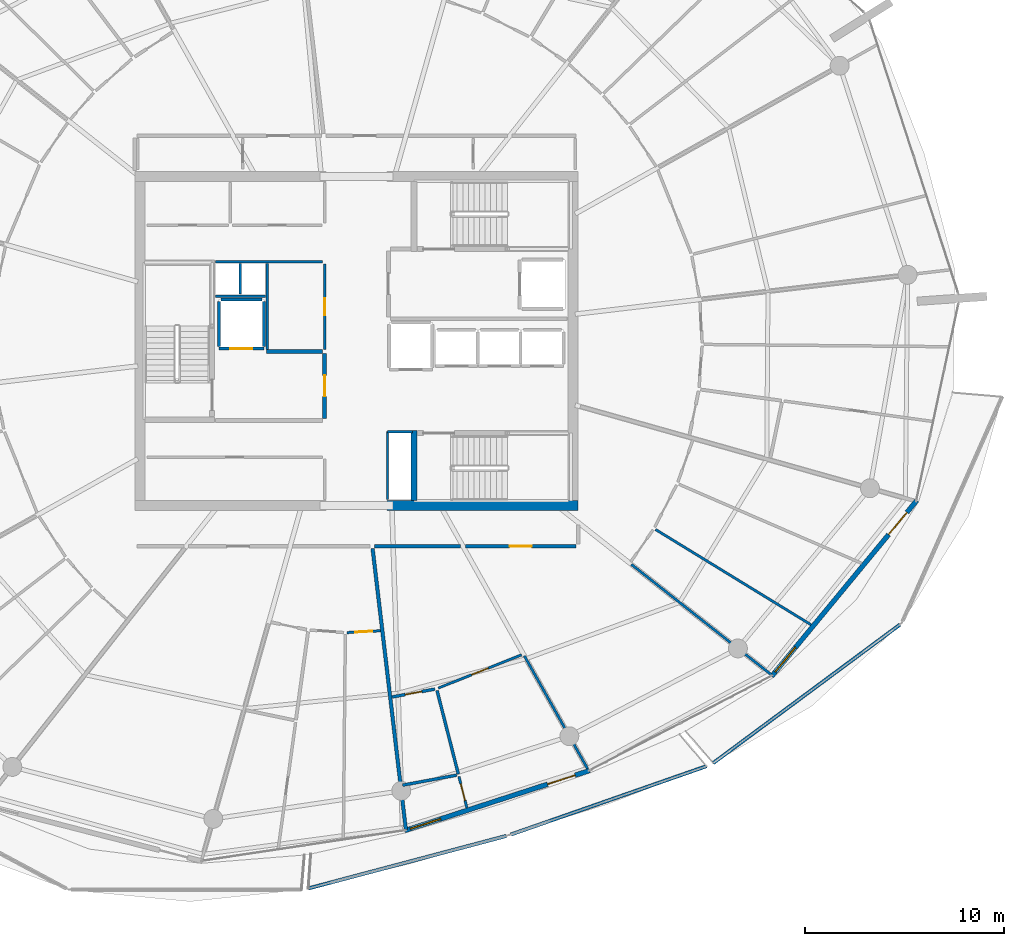
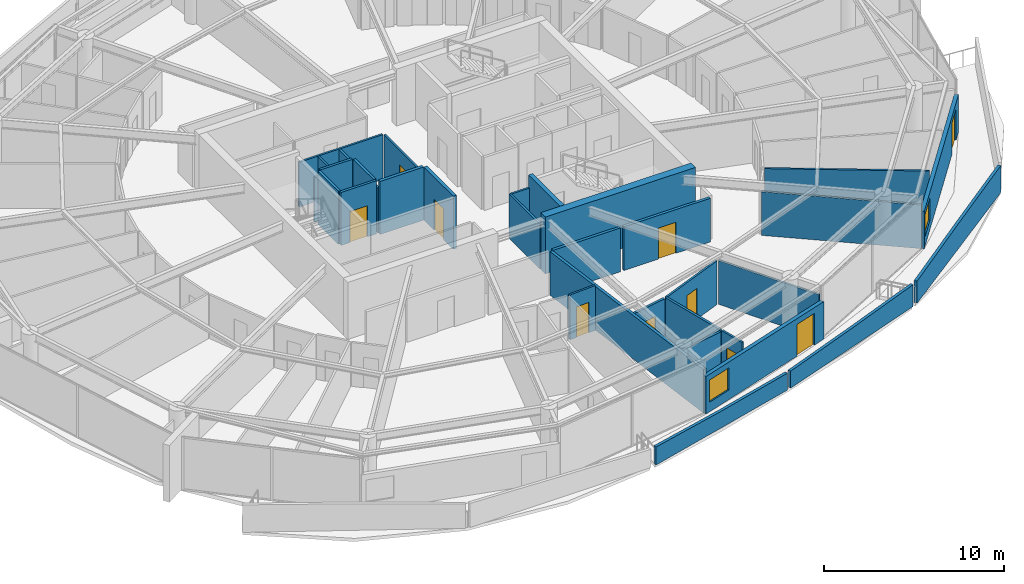
# One storey, part 19 of 30: 32 walls, 10 doors, 2 windows, 12 openings.
"""IFC4 building model written with IfcOpenShell, lengths in metres."""

import ifcopenshell
import ifcopenshell.guid

model = None  # the IFC model being written
_history = None  # IfcOwnerHistory: only IFC2X3 demands one
_inside = {}  # id of a spatial element -> (the spatial element, [elements in it])
_under = {}  # id of a project, library or spatial element -> (it, [spatial elements below it])
_declared = {}  # id of a project -> (the project, [libraries it declares])
_typed = {}  # id of a type object -> (the type object, [elements of that type])
_made_of = {}  # id of a material, layer set ... -> (it, [elements and type objects made of it])


def new_model(schema):
    """Start an empty IFC model of exactly this schema.

    Asked for "IFC4X3", IfcOpenShell would pick the latest addendum, in which some entities
    have other attributes; the version numbers below select the first issue.
    IFC2X3 requires an IfcOwnerHistory on every rooted entity: one is made here for all.
    """
    global model, _history
    if schema == "IFC4X3":
        model = ifcopenshell.file(schema_version=(4, 3, 0, 0))
    else:
        model = ifcopenshell.file(schema=schema)
    _inside.clear()
    _under.clear()
    _declared.clear()
    _typed.clear()
    _made_of.clear()
    _history = None
    if model.schema == "IFC2X3":
        org = make("IfcOrganization", Name="unknown")
        user = make(
            "IfcPersonAndOrganization",
            ThePerson=make("IfcPerson", FamilyName="unknown"),
            TheOrganization=org,
        )
        app = make(
            "IfcApplication",
            ApplicationDeveloper=org,
            Version="unknown",
            ApplicationFullName="unknown",
            ApplicationIdentifier="unknown",
        )
        _history = make(
            "IfcOwnerHistory",
            OwningUser=user,
            OwningApplication=app,
            ChangeAction="ADDED",
            CreationDate=0,
        )
    return model


def make(cls, **values):
    """One entity of the class cls with the attributes given. An attribute that is None is left unset."""
    return model.create_entity(
        cls, **{name: value for name, value in values.items() if value is not None}
    )


def rooted(cls, **values):
    """An entity with a GlobalId (a new one), such as an element, a storey or a relation."""
    return make(cls, GlobalId=ifcopenshell.guid.new(), OwnerHistory=_history, **values)


def si_unit(unit_type, name, prefix=None):
    """IfcSIUnit, for example si_unit("LENGTHUNIT", "METRE", prefix="MILLI")."""
    return make("IfcSIUnit", UnitType=unit_type, Prefix=prefix, Name=name)


def assignment(units):
    """IfcUnitAssignment: the units of a project."""
    return None if units is None else make("IfcUnitAssignment", Units=units)


def point(xyz):
    """IfcCartesianPoint."""
    return None if xyz is None else make("IfcCartesianPoint", Coordinates=xyz)


def direction(xyz):
    """IfcDirection."""
    return None if xyz is None else make("IfcDirection", DirectionRatios=xyz)


def frame(location, z_axis=None, x_axis=None):
    """IfcAxis2Placement3D, a coordinate frame: its origin and axes. An axis left out is left unset."""
    return make(
        "IfcAxis2Placement3D",
        Location=point(location),
        Axis=direction(z_axis),
        RefDirection=direction(x_axis),
    )


def frame_2d(location, x_axis=None):
    """IfcAxis2Placement2D, a coordinate frame in the plane: its origin and x axis."""
    return make(
        "IfcAxis2Placement2D", Location=point(location), RefDirection=direction(x_axis)
    )


def origin():
    """The frame at (0, 0, 0) with its axes left unset."""
    return frame((0.0, 0.0, 0.0))


def place(relative_to, where):
    """IfcLocalPlacement: puts the frame where relative to a parent placement (None: the world)."""
    return make(
        "IfcLocalPlacement", PlacementRelTo=relative_to, RelativePlacement=where
    )


def context(
    kind, dimensions, precision=None, world=None, true_north=None, identifier=None
):
    """IfcGeometricRepresentationContext, for example the 3D "Model" context."""
    return make(
        "IfcGeometricRepresentationContext",
        ContextIdentifier=identifier,
        ContextType=kind,
        CoordinateSpaceDimension=dimensions,
        Precision=precision,
        WorldCoordinateSystem=world,
        TrueNorth=true_north,
    )


def subcontext(parent, identifier, kind, view, scale=None):
    """IfcGeometricRepresentationSubContext, for example "Body" below "Model"."""
    return make(
        "IfcGeometricRepresentationSubContext",
        ContextIdentifier=identifier,
        ContextType=kind,
        ParentContext=parent,
        TargetScale=scale,
        TargetView=view,
    )


def project(units=None, contexts=None):
    """IfcProject with its units and contexts."""
    return rooted(
        "IfcProject",
        Name="project",
        RepresentationContexts=contexts,
        UnitsInContext=assignment(units),
    )


def spatial(cls, under=None, at=None, **own):
    """A site, building, storey or space (cls), placed at a placement, below another one or the project."""
    s = rooted(cls, ObjectPlacement=at, **own)
    if under is not None:
        _under.setdefault(under.id(), (under, []))[1].append(s)
    return s


def polyline(points):
    """IfcPolyline through the points."""
    return make("IfcPolyline", Points=[point(p) for p in points])


def profile(cls, at=None, kind="AREA", **sizes):
    """A parametric profile (cls). Its sizes go by their IFC names, for example OverallWidth=200.0."""
    return make(cls, ProfileType=kind, Position=at, **sizes)


def rectangle(**sizes):
    """IfcRectangleProfileDef."""
    return profile("IfcRectangleProfileDef", **sizes)


def outline(outer, holes=None, kind="AREA"):
    """IfcArbitraryClosedProfileDef: a profile drawn as a closed curve; with holes, ...WithVoids."""
    if holes is None:
        return make("IfcArbitraryClosedProfileDef", ProfileType=kind, OuterCurve=outer)
    return make(
        "IfcArbitraryProfileDefWithVoids",
        ProfileType=kind,
        OuterCurve=outer,
        InnerCurves=holes,
    )


def extrude(swept, where, along, depth):
    """IfcExtrudedAreaSolid: the profile swept, set in the frame where, extruded along a direction by depth."""
    return make(
        "IfcExtrudedAreaSolid",
        SweptArea=swept,
        Position=where,
        ExtrudedDirection=direction(along),
        Depth=depth,
    )


def shape(context_of_items, identifier, shape_type, items):
    """IfcShapeRepresentation: the items that make up one representation, for example the "Body"."""
    return make(
        "IfcShapeRepresentation",
        ContextOfItems=context_of_items,
        RepresentationIdentifier=identifier,
        RepresentationType=shape_type,
        Items=items,
    )


def material(Name=None, Category=None):
    """IfcMaterial."""
    return make("IfcMaterial", Name=Name, Category=Category)


def layer(
    of_material, thickness, ventilated=None, Name=None, Category=None, Priority=None
):
    """IfcMaterialLayer: one layer of a wall or slab, of a material (None: an air gap)."""
    return make(
        "IfcMaterialLayer",
        Material=of_material,
        LayerThickness=thickness,
        IsVentilated=ventilated,
        Name=Name,
        Category=Category,
        Priority=Priority,
    )


def layer_set(layers, Name=None):
    """IfcMaterialLayerSet."""
    return make("IfcMaterialLayerSet", MaterialLayers=layers, LayerSetName=Name)


def made_of(thing, what):
    """Note that an element or type object is made of a material, layer set ...; save() writes the relation."""
    if what is not None:
        _made_of.setdefault(what.id(), (what, []))[1].append(thing)
    return thing


def type_object(cls, material=None, **own):
    """A type object (cls), such as IfcWallType, which elements share."""
    return made_of(rooted(cls, **own), material)


def element(
    cls,
    number,
    at=None,
    inside=None,
    cuts=None,
    type_object=None,
    material=None,
    context=None,
    identifier="Body",
    shape_type=None,
    held_by="IfcProductDefinitionShape",
    body=None,
    shapes=None,
    **own,
):
    """One element of the class cls, such as IfcWall. Its Tag is "e" and its number.

    at: its placement. inside: the storey or other place that contains it. cuts: it is an
    opening in that element (IfcRelVoidsElement). A single representation is given by context,
    identifier, shape_type and body (its items); several are given by shapes. held_by: the class
    of the entity that holds the representations. save() writes the other relations.
    """
    e = rooted(cls, Tag="e%d" % number, ObjectPlacement=at, **own)
    if body is not None:
        shapes = [shape(context, identifier, shape_type, body)]
    if shapes is not None:
        e.Representation = make(held_by, Representations=shapes)
    if inside is not None:
        _inside.setdefault(inside.id(), (inside, []))[1].append(e)
    if cuts is not None:
        rooted(
            "IfcRelVoidsElement", RelatingBuildingElement=cuts, RelatedOpeningElement=e
        )
    if type_object is not None:
        _typed.setdefault(type_object.id(), (type_object, []))[1].append(e)
    return made_of(e, material)


def fill(opening, filler):
    """IfcRelFillsElement: the door or window that sits in an opening."""
    return rooted(
        "IfcRelFillsElement",
        RelatingOpeningElement=opening,
        RelatedBuildingElement=filler,
    )


def aggregate(whole, parts):
    """IfcRelAggregates: a whole, such as a stair, and the parts it consists of."""
    return rooted("IfcRelAggregates", RelatingObject=whole, RelatedObjects=parts)


def save(model, path):
    """Write the relations noted so far, then the file.

    IfcRelAggregates (storeys below a building ...), IfcRelContainedInSpatialStructure (elements
    in a storey), IfcRelDefinesByType, IfcRelAssociatesMaterial and IfcRelDeclares: one each for
    every whole, place, type object, material and project.
    """
    for whole, parts in _under.values():
        aggregate(whole, parts)
    for where, things in _inside.values():
        rooted(
            "IfcRelContainedInSpatialStructure",
            RelatedElements=things,
            RelatingStructure=where,
        )
    for kind, things in _typed.values():
        rooted("IfcRelDefinesByType", RelatedObjects=things, RelatingType=kind)
    for what, things in _made_of.values():
        rooted("IfcRelAssociatesMaterial", RelatedObjects=things, RelatingMaterial=what)
    for by, libraries in _declared.values():
        rooted("IfcRelDeclares", RelatingContext=by, RelatedDefinitions=libraries)
    model.write(path)


model = new_model("IFC4")

# Units and contexts
model_context = context("Model", 3, precision=1e-05, world=origin(), true_north=direction((0.0, 1.0)))
body_context = subcontext(model_context, "Body", "Model", "MODEL_VIEW")
ifc_project = project(units=[si_unit("LENGTHUNIT", "METRE"), si_unit("AREAUNIT", "SQUARE_METRE"), si_unit("VOLUMEUNIT", "CUBIC_METRE"), si_unit("PLANEANGLEUNIT", "RADIAN"), si_unit("MASSUNIT", "GRAM", prefix="KILO")], contexts=[model_context])

# Site, building, storey
site_placement = place(None, origin())
site = spatial("IfcSite", under=ifc_project, at=site_placement, CompositionType="ELEMENT")
building_placement = place(site_placement, origin())
building = spatial("IfcBuilding", under=site, at=building_placement, Name="Kazma Halo Residences", CompositionType="ELEMENT")
storey_placement = place(building_placement, frame((0.0, 0.0, 279.050048828125)))
storey = spatial("IfcBuildingStorey", under=building, at=storey_placement, Name="L70", CompositionType="ELEMENT", Elevation=279.050048828125)

# Walls
ifc_material_1 = material(Name="White Concrete C50/60 Balustrade", Category="concrete")
ifc_layer_1 = layer(ifc_material_1, 0.179931640625)
ifc_layer_set_1 = layer_set([ifc_layer_1], Name="White Concrete C50/60 Balustrade")
wall_type_1 = type_object("IfcWallType", Name="WL-BAL-WAVE-180", PredefinedType="PARAPET", material=ifc_layer_set_1)
wall_1_placement = place(storey_placement, frame((46.006591796875, 14.52734375, 0.0), z_axis=(0.0, 0.0, 1.0), x_axis=(0.96657188746, 0.256395761219, 0.0)))
element("IfcWall", 1, at=wall_1_placement, inside=storey, type_object=wall_type_1, Name="L70 white wave balustrade wall SSE.1", PredefinedType="PARAPET", context=body_context, shape_type="SweptSolid", body=[
    extrude(outline(polyline([(0.0, 0.0), (10.281005859375, 0.0), (10.281005859375, 1.14794921875), (5.140380859375, 1.126953125), (0.0, 1.223876953125), (0.0, 0.0)])), frame((0.0, 0.08984375, 0.0), z_axis=(0.0, -1.0, 0.0), x_axis=(1.0, 0.0, 0.0)), (0.0, 0.0, 1.0), 0.179931640625),
])
wall_2_placement = place(storey_placement, frame((56.173095703125, 17.23388671875, 0.0), z_axis=(0.0, 0.0, 1.0), x_axis=(0.944003849273, 0.329934436757, 0.0)))
element("IfcWall", 2, at=wall_2_placement, inside=storey, type_object=wall_type_1, Name="L70 white wave balustrade wall SSE.2", PredefinedType="PARAPET", context=body_context, shape_type="SweptSolid", body=[
    extrude(outline(polyline([(0.0, 0.0), (10.405517578125, 0.0), (10.405517578125, 1.48291015625), (5.20263671875, 1.283935546875), (0.0, 1.14794921875), (0.0, 0.0)])), frame((0.0, 0.08984375, 0.0), z_axis=(0.0, -1.0, 0.0), x_axis=(1.0, 0.0, 0.0)), (0.0, 0.0, 1.0), 0.179931640625),
])
wall_3_placement = place(storey_placement, frame((66.318603515625, 20.815185546875, 0.0), z_axis=(0.0, 0.0, 1.0), x_axis=(0.803330402034, 0.59553359701, 0.0)))
element("IfcWall", 3, at=wall_3_placement, inside=storey, type_object=wall_type_1, Name="L70 white wave balustrade wall SE.1", PredefinedType="PARAPET", context=body_context, shape_type="SweptSolid", body=[
    extrude(outline(polyline([(0.0, 0.0), (11.673828125, 0.0), (11.673828125, 1.83203125), (5.8369140625, 1.696044921875), (0.0, 1.4970703125), (0.0, 0.0)])), frame((0.0, 0.08984375, 0.0), z_axis=(0.0, -1.0, 0.0), x_axis=(1.0, 0.0, 0.0)), (0.0, 0.0, 1.0), 0.179931640625),
])
ifc_material_2 = material(Name="Concrete C60/75", Category="concrete")
ifc_layer_2 = layer(ifc_material_2, 0.5)
ifc_layer_set_2 = layer_set([ifc_layer_2], Name="Concrete C60/75")
wall_type_2 = type_object("IfcWallType", Name="WL-CORE-500", PredefinedType="SHEAR", material=ifc_layer_set_2)
wall_4_placement = place(storey_placement, frame((49.949951171875, 33.75, 0.0), z_axis=(0.0, 0.0, 1.0), x_axis=(1.0, 0.0, 0.0)))
element("IfcWall", 4, at=wall_4_placement, inside=storey, type_object=wall_type_2, Name="L70 central core shear wall SE", PredefinedType="SHEAR", context=body_context, shape_type="SweptSolid", body=[
    extrude(rectangle(XDim=9.60009765625, YDim=0.5, at=frame_2d((4.800048828125, 0.0))), origin(), (0.0, 0.0, 1.0), 3.849853515625),
])
ifc_layer_3 = layer(ifc_material_2, 0.280029296875)
ifc_layer_set_3 = layer_set([ifc_layer_3], Name="Concrete C60/75")
wall_type_3 = type_object("IfcWallType", Name="WL-CORE-ST-280", PredefinedType="SHEAR", material=ifc_layer_set_3)
wall_5_placement = place(storey_placement, frame((51.31005859375, 34.0, 0.0), z_axis=(0.0, 0.0, 1.0), x_axis=(0.0, 1.0, 0.0)))
element("IfcWall", 5, at=wall_5_placement, inside=storey, type_object=wall_type_3, Name="L70 stairwell bearing wall ST03-W", PredefinedType="SHEAR", context=body_context, shape_type="SweptSolid", body=[
    extrude(rectangle(XDim=3.5, YDim=0.280029296875, at=frame_2d((1.75, 0.0))), origin(), (0.0, 0.0, 1.0), 3.849853515625),
])
ifc_material_3 = material(Name="Acoustic Twin-Stud Gypsum")
ifc_layer_4 = layer(ifc_material_3, 0.179931640625)
ifc_layer_set_4 = layer_set([ifc_layer_4], Name="Acoustic Twin-Stud Gypsum")
wall_type_4 = type_object("IfcWallType", Name="WL-DEM-180", PredefinedType="PARTITIONING", material=ifc_layer_set_4)
wall_6_placement = place(storey_placement, frame((49.23193359375, 31.5908203125, 0.0), z_axis=(0.0, 0.0, 1.0), x_axis=(0.117545848714, -0.993067456646, 0.0)))
element("IfcWall", 6, at=wall_6_placement, inside=storey, type_object=wall_type_4, Name="L70 apartment demising radial wall 11", PredefinedType="PARTITIONING", context=body_context, shape_type="SweptSolid", body=[
    extrude(rectangle(XDim=14.212890625, YDim=0.179931640625, at=frame_2d((7.1064453125, 0.0))), origin(), (0.0, 0.0, 1.0), 2.95703125),
])

# Wall, opening, door
wall_7_placement = place(storey_placement, frame((53.88818359375, 31.699951171875, 0.0), z_axis=(0.0, 0.0, 1.0), x_axis=(1.0, 0.0, 0.0)))
wall_7 = element("IfcWall", 7, at=wall_7_placement, inside=storey, type_object=wall_type_4, Name="L70 Apartment 3 entrance corridor wall", PredefinedType="PARTITIONING", context=body_context, shape_type="SweptSolid", body=[
    extrude(rectangle(XDim=5.541748046875, YDim=0.179931640625, at=frame_2d((2.77099609375, 0.0))), origin(), (0.0, 0.0, 1.0), 2.95703125),
])
opening_1_placement = place(wall_7_placement, frame((2.220703125, 0.0, 0.0)))
opening_1 = element("IfcOpeningElement", 8, at=opening_1_placement, cuts=wall_7, Name="Opening DA-1100", PredefinedType="OPENING", context=body_context, shape_type="SweptSolid", body=[
    extrude(rectangle(XDim=1.10009765625, YDim=2.10009765625, at=frame_2d((0.550048828125, 1.050048828125))), frame((0.0, 0.099853515625, 0.0), z_axis=(0.0, -1.0, 0.0), x_axis=(1.0, 0.0, 0.0)), (0.0, 0.0, 1.0), 0.199951171875),
])
ifc_material_4 = material(Name="Acoustic Walnut Fire Leaf")
door_type_1 = type_object("IfcDoorType", Name="DR-FD60-1100", OperationType="NOTDEFINED", PredefinedType="DOOR", material=ifc_material_4)
door_1_placement = place(opening_1_placement, origin())
door_1 = element("IfcDoor", 9, at=door_1_placement, inside=storey, type_object=door_type_1, Name="L70 Apartment 3 entrance fire door", OperationType="SINGLE_SWING_RIGHT", OverallHeight=2.10009765625, OverallWidth=1.10009765625, PredefinedType="DOOR", context=body_context, shape_type="SweptSolid", body=[
    extrude(rectangle(XDim=1.10009765625, YDim=2.10009765625, at=frame_2d((0.550048828125, 1.050048828125))), frame((0.0, 0.02490234375, 0.0), z_axis=(0.0, -1.0, 0.0), x_axis=(1.0, 0.0, 0.0)), (0.0, 0.0, 1.0), 0.050048828125),
])
fill(opening_1, door_1)

# Wall
wall_8_placement = place(storey_placement, frame((49.339111328125, 31.699951171875, 0.0), z_axis=(0.0, 0.0, 1.0), x_axis=(1.0, 0.0, 0.0)))
element("IfcWall", 10, at=wall_8_placement, inside=storey, type_object=wall_type_4, Name="L70 Apartment 3 inner wall 11", PredefinedType="PARTITIONING", context=body_context, shape_type="SweptSolid", body=[
    extrude(rectangle(XDim=4.30908203125, YDim=0.179931640625, at=frame_2d((2.154541015625, 0.0))), origin(), (0.0, 0.0, 1.0), 2.95703125),
])

# Wall, openings, door, window
ifc_material_5 = material(Name="Insulated Pale-Metal Composite Wall")
ifc_layer_5 = layer(ifc_material_5, 0.239990234375)
ifc_layer_set_5 = layer_set([ifc_layer_5], Name="Insulated Pale-Metal Composite Wall")
wall_type_5 = type_object("IfcWallType", Name="WL-EXT-HOST-240", PredefinedType="SOLIDWALL", material=ifc_layer_set_5)
wall_9_placement = place(storey_placement, frame((50.85791015625, 17.436279296875, 0.0), z_axis=(0.0, 0.0, 1.0), x_axis=(0.951055974609, 0.309018661507, 0.0)))
wall_9 = element("IfcWall", 11, at=wall_9_placement, inside=storey, type_object=wall_type_5, Name="L70 exterior terrace-access wall B12", PredefinedType="SOLIDWALL", context=body_context, shape_type="SweptSolid", body=[
    extrude(rectangle(XDim=9.745361328125, YDim=0.239990234375, at=frame_2d((4.87255859375, 0.0))), origin(), (0.0, 0.0, 1.0), 2.5400390625),
])
opening_2_placement = place(wall_9_placement, frame((7.525390625, 0.0, 0.0)))
opening_2 = element("IfcOpeningElement", 12, at=opening_2_placement, cuts=wall_9, Name="Opening DTR-1600", PredefinedType="OPENING", context=body_context, shape_type="SweptSolid", body=[
    extrude(rectangle(XDim=1.449951171875, YDim=2.14990234375, at=frame_2d((0.72509765625, 1.074951171875))), frame((0.0, 0.1298828125, 0.0), z_axis=(0.0, -1.0, 0.0), x_axis=(1.0, 0.0, 0.0)), (0.0, 0.0, 1.0), 0.260009765625),
])
opening_3_placement = place(wall_9_placement, frame((0.280029296875, 0.0, 0.64990234375)))
opening_3 = element("IfcOpeningElement", 13, at=opening_3_placement, cuts=wall_9, Name="Opening W-1800", PredefinedType="OPENING", context=body_context, shape_type="SweptSolid", body=[
    extrude(rectangle(XDim=1.60009765625, YDim=1.5, at=frame_2d((0.800048828125, 0.75))), frame((0.0, 0.1298828125, 0.0), z_axis=(0.0, -1.0, 0.0), x_axis=(1.0, 0.0, 0.0)), (0.0, 0.0, 1.0), 0.260009765625),
])
ifc_material_6 = material(Name="Aluminium AW-6063 T6 Double-Glazed Terrace Door", Category="aluminium")
door_type_2 = type_object("IfcDoorType", Name="DR-EXT-TERR-1600", OperationType="NOTDEFINED", PredefinedType="DOOR", material=ifc_material_6)
door_2_placement = place(opening_2_placement, origin())
door_2 = element("IfcDoor", 14, at=door_2_placement, inside=storey, type_object=door_type_2, Name="L70 B12 balcony terrace door", OperationType="DOUBLE_DOOR_SLIDING", OverallHeight=2.14990234375, OverallWidth=1.449951171875, PredefinedType="DOOR", context=body_context, shape_type="SweptSolid", body=[
    extrude(rectangle(XDim=1.449951171875, YDim=2.14990234375, at=frame_2d((0.72509765625, 1.074951171875))), frame((0.0, 0.02490234375, 0.0), z_axis=(0.0, -1.0, 0.0), x_axis=(1.0, 0.0, 0.0)), (0.0, 0.0, 1.0), 0.050048828125),
])
fill(opening_2, door_2)
ifc_material_7 = material(Name="Clear Triple-Silver Low-E Glass in Aluminium AW-6063 T6 Frame", Category="aluminium")
window_type = type_object("IfcWindowType", Name="WIN-RES-1800", PartitioningType="DOUBLE_PANEL_VERTICAL", PredefinedType="WINDOW", material=ifc_material_7)
window_1_placement = place(opening_3_placement, origin())
window_1 = element("IfcWindow", 15, at=window_1_placement, inside=storey, type_object=window_type, Name="L70 B12 apartment window", OverallHeight=1.5, OverallWidth=1.60009765625, PartitioningType="SINGLE_PANEL", PredefinedType="WINDOW", context=body_context, shape_type="SweptSolid", body=[
    extrude(rectangle(XDim=1.60009765625, YDim=1.5, at=frame_2d((0.800048828125, 0.75))), frame((0.0, 0.030029296875, 0.0), z_axis=(0.0, -1.0, 0.0), x_axis=(1.0, 0.0, 0.0)), (0.0, 0.0, 1.0), 0.06005859375),
])
fill(opening_3, window_1)

wall_10_placement = place(storey_placement, frame((69.2578125, 25.177978515625, 0.0), z_axis=(0.0, 0.0, 1.0), x_axis=(0.636680093065, 0.771128043255, 0.0)))
wall_10 = element("IfcWall", 16, at=wall_10_placement, inside=storey, type_object=wall_type_5, Name="L70 exterior terrace-access wall B14", PredefinedType="SOLIDWALL", context=body_context, shape_type="SweptSolid", body=[
    extrude(rectangle(XDim=11.438232421875, YDim=0.239990234375, at=frame_2d((5.71923828125, 0.0))), origin(), (0.0, 0.0, 1.0), 2.5400390625),
])
opening_4_placement = place(wall_10_placement, frame((9.21826171875, 0.0, 0.0)))
opening_4 = element("IfcOpeningElement", 17, at=opening_4_placement, cuts=wall_10, Name="Opening DTR-1600", PredefinedType="OPENING", context=body_context, shape_type="SweptSolid", body=[
    extrude(rectangle(XDim=1.449951171875, YDim=2.14990234375, at=frame_2d((0.72509765625, 1.074951171875))), frame((0.0, 0.1298828125, 0.0), z_axis=(0.0, -1.0, 0.0), x_axis=(1.0, 0.0, 0.0)), (0.0, 0.0, 1.0), 0.260009765625),
])
opening_5_placement = place(wall_10_placement, frame((0.280029296875, 0.0, 0.64990234375)))
opening_5 = element("IfcOpeningElement", 18, at=opening_5_placement, cuts=wall_10, Name="Opening W-1800", PredefinedType="OPENING", context=body_context, shape_type="SweptSolid", body=[
    extrude(rectangle(XDim=1.60009765625, YDim=1.5, at=frame_2d((0.800048828125, 0.75))), frame((0.0, 0.1298828125, 0.0), z_axis=(0.0, -1.0, 0.0), x_axis=(1.0, 0.0, 0.0)), (0.0, 0.0, 1.0), 0.260009765625),
])
door_3_placement = place(opening_4_placement, origin())
door_3 = element("IfcDoor", 19, at=door_3_placement, inside=storey, type_object=door_type_2, Name="L70 B14 balcony terrace door", OperationType="DOUBLE_DOOR_SLIDING", OverallHeight=2.14990234375, OverallWidth=1.449951171875, PredefinedType="DOOR", context=body_context, shape_type="SweptSolid", body=[
    extrude(rectangle(XDim=1.449951171875, YDim=2.14990234375, at=frame_2d((0.72509765625, 1.074951171875))), frame((0.0, 0.02490234375, 0.0), z_axis=(0.0, -1.0, 0.0), x_axis=(1.0, 0.0, 0.0)), (0.0, 0.0, 1.0), 0.050048828125),
])
fill(opening_4, door_3)
window_2_placement = place(opening_5_placement, origin())
window_2 = element("IfcWindow", 20, at=window_2_placement, inside=storey, type_object=window_type, Name="L70 B14 apartment window", OverallHeight=1.5, OverallWidth=1.60009765625, PartitioningType="SINGLE_PANEL", PredefinedType="WINDOW", context=body_context, shape_type="SweptSolid", body=[
    extrude(rectangle(XDim=1.60009765625, YDim=1.5, at=frame_2d((0.800048828125, 0.75))), frame((0.0, 0.030029296875, 0.0), z_axis=(0.0, -1.0, 0.0), x_axis=(1.0, 0.0, 0.0)), (0.0, 0.0, 1.0), 0.06005859375),
])
fill(opening_5, window_2)

# Wall, opening, door
ifc_material_8 = material(Name="Fire-Rated Blockwork Masonry", Category="masonry")
ifc_layer_6 = layer(ifc_material_8, 0.199951171875)
ifc_layer_set_6 = layer_set([ifc_layer_6], Name="Fire-Rated Blockwork Masonry")
wall_type_6 = type_object("IfcWallType", Name="WL-FLB-200", PredefinedType="PARTITIONING", material=ifc_layer_set_6)
wall_11_placement = place(storey_placement, frame((43.780029296875, 41.6201171875, 0.0), z_axis=(0.0, 0.0, 1.0), x_axis=(-1.0, 0.0, 0.0)))
wall_11 = element("IfcWall", 21, at=wall_11_placement, inside=storey, type_object=wall_type_6, Name="L70 lift shaft FL-01 front wall", PredefinedType="PARTITIONING", context=body_context, shape_type="SweptSolid", body=[
    extrude(rectangle(XDim=2.260009765625, YDim=0.159912109375, at=frame_2d((1.1298828125, 0.0))), origin(), (0.0, 0.0, 1.0), 3.58984375),
])
opening_6_placement = place(wall_11_placement, frame((0.580078125, 0.0, 0.0)))
opening_6 = element("IfcOpeningElement", 22, at=opening_6_placement, cuts=wall_11, Name="Opening LD-FL-01", PredefinedType="OPENING", context=body_context, shape_type="SweptSolid", body=[
    extrude(rectangle(XDim=1.10009765625, YDim=2.10009765625, at=frame_2d((0.550048828125, 1.050048828125))), frame((0.0, 0.08984375, 0.0), z_axis=(0.0, -1.0, 0.0), x_axis=(1.0, 0.0, 0.0)), (0.0, 0.0, 1.0), 0.179931640625),
])
ifc_material_9 = material(Name="Stainless Steel Fire-Rated", Category="steel")
door_type_3 = type_object("IfcDoorType", Name="DR-LIFT-SLD-1100", OperationType="DOUBLE_DOOR_SLIDING", PredefinedType="DOOR", material=ifc_material_9)
door_4_placement = place(opening_6_placement, origin())
door_4 = element("IfcDoor", 23, at=door_4_placement, inside=storey, type_object=door_type_3, Name="L70 lift FL-01 sliding landing door", OperationType="DOUBLE_DOOR_SLIDING", OverallHeight=2.10009765625, OverallWidth=1.10009765625, PredefinedType="DOOR", context=body_context, shape_type="SweptSolid", body=[
    extrude(rectangle(XDim=1.10009765625, YDim=2.10009765625, at=frame_2d((0.550048828125, 1.050048828125))), frame((0.0, 0.02490234375, 0.0), z_axis=(0.0, -1.0, 0.0), x_axis=(1.0, 0.0, 0.0)), (0.0, 0.0, 1.0), 0.050048828125),
])
fill(opening_6, door_4)

# Walls
for number, where, z_axis, x_axis, name in (
    (24, (43.780029296875, 41.719970703125, 0.0), (0.0, 0.0, 1.0), (0.0, 1.0, 0.0), "L70 lift shaft FL-01 side wall E"),
    (25, (41.52001953125, 41.719970703125, 0.0), (0.0, 0.0, 1.0), (0.0, 1.0, 0.0), "L70 lift shaft FL-01 side wall W"),
):
    element("IfcWall", number, at=place(storey_placement, frame(where, z_axis=z_axis, x_axis=x_axis)), inside=storey, type_object=wall_type_6, Name=name, PredefinedType="PARTITIONING", context=body_context, shape_type="SweptSolid", body=[
        extrude(rectangle(XDim=2.260009765625, YDim=0.159912109375, at=frame_2d((1.1298828125, 0.0))), origin(), (0.0, 0.0, 1.0), 3.58984375),
    ])
wall_12_placement = place(storey_placement, frame((41.6201171875, 44.080078125, 0.0), z_axis=(0.0, 0.0, 1.0), x_axis=(1.0, 0.0, 0.0)))
element("IfcWall", 26, at=wall_12_placement, inside=storey, type_object=wall_type_6, Name="L70 lift shaft FL-01 side wall N", PredefinedType="PARTITIONING", context=body_context, shape_type="SweptSolid", body=[
    extrude(rectangle(XDim=2.059814453125, YDim=0.159912109375, at=frame_2d((1.02978515625, 0.0))), origin(), (0.0, 0.0, 1.0), 3.58984375),
])
wall_13_placement = place(storey_placement, frame((43.919921875, 41.47998046875, 0.0), z_axis=(0.0, 0.0, 1.0), x_axis=(1.0, 0.0, 0.0)))
element("IfcWall", 27, at=wall_13_placement, inside=storey, type_object=wall_type_6, Name="L70 west firefighting lobby north smoke wall", PredefinedType="PARTITIONING", context=body_context, shape_type="SweptSolid", body=[
    extrude(rectangle(XDim=2.800048828125, YDim=0.199951171875, at=frame_2d((1.39990234375, 0.0))), origin(), (0.0, 0.0, 1.0), 3.58984375),
])

# Wall, opening, door
wall_14_placement = place(storey_placement, frame((46.820068359375, 38.1201171875, 0.0), z_axis=(0.0, 0.0, 1.0), x_axis=(0.0, 1.0, 0.0)))
wall_14 = element("IfcWall", 28, at=wall_14_placement, inside=storey, type_object=wall_type_6, Name="L70 west firefighting lobby smoke wall", PredefinedType="PARTITIONING", context=body_context, shape_type="SweptSolid", body=[
    extrude(rectangle(XDim=3.259765625, YDim=0.199951171875, at=frame_2d((1.6298828125, 0.0))), origin(), (0.0, 0.0, 1.0), 3.58984375),
])
opening_7_placement = place(wall_14_placement, frame((1.10498046875, 0.0, 0.0)))
opening_7 = element("IfcOpeningElement", 29, at=opening_7_placement, cuts=wall_14, Name="Opening D-FLW", PredefinedType="OPENING", context=body_context, shape_type="SweptSolid", body=[
    extrude(rectangle(XDim=1.050048828125, YDim=2.10009765625, at=frame_2d((0.52490234375, 1.050048828125))), frame((0.0, 0.10986328125, 0.0), z_axis=(0.0, -1.0, 0.0), x_axis=(1.0, 0.0, 0.0)), (0.0, 0.0, 1.0), 0.219970703125),
])
ifc_material_10 = material(Name="Fire-Rated Steel Leaf", Category="steel")
door_type_4 = type_object("IfcDoorType", Name="DR-FD90-1050", OperationType="NOTDEFINED", PredefinedType="DOOR", material=ifc_material_10)
door_5_placement = place(opening_7_placement, origin())
door_5 = element("IfcDoor", 30, at=door_5_placement, inside=storey, type_object=door_type_4, Name="L70 west firefighting lobby smoke door", OperationType="SINGLE_SWING_LEFT", OverallHeight=2.10009765625, OverallWidth=1.050048828125, PredefinedType="DOOR", context=body_context, shape_type="SweptSolid", body=[
    extrude(rectangle(XDim=1.050048828125, YDim=2.10009765625, at=frame_2d((0.52490234375, 1.050048828125))), frame((0.0, 0.02490234375, 0.0), z_axis=(0.0, -1.0, 0.0), x_axis=(1.0, 0.0, 0.0)), (0.0, 0.0, 1.0), 0.050048828125),
])
fill(opening_7, door_5)

# Walls
ifc_material_11 = material(Name="Gypsum Plasterboard Partition")
ifc_layer_7 = layer(ifc_material_11, 0.125)
ifc_layer_set_7 = layer_set([ifc_layer_7], Name="Gypsum Plasterboard Partition")
wall_type_7 = type_object("IfcWallType", Name="WL-PART-125", PredefinedType="PARTITIONING", material=ifc_layer_set_7)
wall_15_placement = place(storey_placement, frame((41.360107421875, 45.97998046875, 0.0), z_axis=(0.0, 0.0, 1.0), x_axis=(1.0, 0.0, 0.0)))
element("IfcWall", 31, at=wall_15_placement, inside=storey, type_object=wall_type_7, Name="L70 core north riser wall", PredefinedType="PARTITIONING", context=body_context, shape_type="SweptSolid", body=[
    extrude(rectangle(XDim=5.35986328125, YDim=0.125, at=frame_2d((2.679931640625, 0.0))), origin(), (0.0, 0.0, 1.0), 3.030029296875),
])
wall_16_placement = place(storey_placement, frame((41.360107421875, 44.260009765625, 0.0), z_axis=(0.0, 0.0, 1.0), x_axis=(1.0, 0.0, 0.0)))
element("IfcWall", 32, at=wall_16_placement, inside=storey, type_object=wall_type_7, Name="L70 core riser south wall", PredefinedType="PARTITIONING", context=body_context, shape_type="SweptSolid", body=[
    extrude(rectangle(XDim=2.5, YDim=0.125, at=frame_2d((1.25, 0.0))), origin(), (0.0, 0.0, 1.0), 3.030029296875),
])
wall_17_placement = place(storey_placement, frame((42.60009765625, 44.35009765625, 0.0), z_axis=(0.0, 0.0, 1.0), x_axis=(0.0, 1.0, 0.0)))
element("IfcWall", 33, at=wall_17_placement, inside=storey, type_object=wall_type_7, Name="L70 core riser divider wall", PredefinedType="PARTITIONING", context=body_context, shape_type="SweptSolid", body=[
    extrude(rectangle(XDim=1.5498046875, YDim=0.125, at=frame_2d((0.77490234375, 0.0))), origin(), (0.0, 0.0, 1.0), 3.030029296875),
])
wall_18_placement = place(storey_placement, frame((49.97998046875, 34.06005859375, 0.0), z_axis=(0.0, 0.0, 1.0), x_axis=(0.0, 1.0, 0.0)))
element("IfcWall", 34, at=wall_18_placement, inside=storey, type_object=wall_type_7, Name="L70 standpipe riser wall", PredefinedType="PARTITIONING", context=body_context, shape_type="SweptSolid", body=[
    extrude(rectangle(XDim=3.39990234375, YDim=0.125, at=frame_2d((1.699951171875, 0.0))), origin(), (0.0, 0.0, 1.0), 3.030029296875),
])
wall_19_placement = place(storey_placement, frame((49.97998046875, 37.43994140625, 0.0), z_axis=(0.0, 0.0, 1.0), x_axis=(1.0, 0.0, 0.0)))
element("IfcWall", 35, at=wall_19_placement, inside=storey, type_object=wall_type_7, Name="L70 standpipe riser north wall", PredefinedType="PARTITIONING", context=body_context, shape_type="SweptSolid", body=[
    extrude(rectangle(XDim=1.260009765625, YDim=0.125, at=frame_2d((0.6298828125, 0.0))), origin(), (0.0, 0.0, 1.0), 3.030029296875),
])
wall_20_placement = place(storey_placement, frame((43.949951171875, 41.580078125, 0.0), z_axis=(0.0, 0.0, 1.0), x_axis=(0.0, 1.0, 0.0)))
element("IfcWall", 36, at=wall_20_placement, inside=storey, type_object=wall_type_7, Name="L70 core service west wall", PredefinedType="PARTITIONING", context=body_context, shape_type="SweptSolid", body=[
    extrude(rectangle(XDim=4.31982421875, YDim=0.125, at=frame_2d((2.159912109375, 0.0))), origin(), (0.0, 0.0, 1.0), 3.030029296875),
])

# Wall, opening, door
wall_21_placement = place(storey_placement, frame((46.820068359375, 41.580078125, 0.0), z_axis=(0.0, 0.0, 1.0), x_axis=(0.0, 1.0, 0.0)))
wall_21 = element("IfcWall", 37, at=wall_21_placement, inside=storey, type_object=wall_type_7, Name="L70 core service room east wall", PredefinedType="PARTITIONING", context=body_context, shape_type="SweptSolid", body=[
    extrude(rectangle(XDim=4.2998046875, YDim=0.125, at=frame_2d((2.14990234375, 0.0))), origin(), (0.0, 0.0, 1.0), 3.030029296875),
])
opening_8_placement = place(wall_21_placement, frame((1.72509765625, 0.0, 0.0)))
opening_8 = element("IfcOpeningElement", 38, at=opening_8_placement, cuts=wall_21, Name="Opening DS-850", PredefinedType="OPENING", context=body_context, shape_type="SweptSolid", body=[
    extrude(rectangle(XDim=0.85009765625, YDim=2.06005859375, at=frame_2d((0.425048828125, 1.030029296875))), frame((0.0, 0.072509765625, 0.0), z_axis=(0.0, -1.0, 0.0), x_axis=(1.0, 0.0, 0.0)), (0.0, 0.0, 1.0), 0.14501953125),
])
ifc_material_12 = material(Name="Painted Steel Access Leaf", Category="steel")
door_type_5 = type_object("IfcDoorType", Name="DR-SVC-850", OperationType="NOTDEFINED", PredefinedType="DOOR", material=ifc_material_12)
door_6_placement = place(opening_8_placement, origin())
door_6 = element("IfcDoor", 39, at=door_6_placement, inside=storey, type_object=door_type_5, Name="L70 core service room door", OperationType="SINGLE_SWING_LEFT", OverallHeight=2.06005859375, OverallWidth=0.85009765625, PredefinedType="DOOR", context=body_context, shape_type="SweptSolid", body=[
    extrude(rectangle(XDim=0.85009765625, YDim=2.06005859375, at=frame_2d((0.425048828125, 1.030029296875))), frame((0.0, 0.02490234375, 0.0), z_axis=(0.0, -1.0, 0.0), x_axis=(1.0, 0.0, 0.0)), (0.0, 0.0, 1.0), 0.050048828125),
])
fill(opening_8, door_6)

wall_22_placement = place(storey_placement, frame((47.94189453125, 27.368896484375, 0.0), z_axis=(0.0, 0.0, 1.0), x_axis=(0.998523596101, 0.054319683628, 0.0)))
wall_22 = element("IfcWall", 40, at=wall_22_placement, inside=storey, type_object=wall_type_7, Name="L70 Apartment 2 Primary Bedroom hall wall", PredefinedType="PARTITIONING", context=body_context, shape_type="SweptSolid", body=[
    extrude(rectangle(XDim=1.680908203125, YDim=0.125, at=frame_2d((0.84033203125, 0.0))), origin(), (0.0, 0.0, 1.0), 3.030029296875),
])
opening_9_placement = place(wall_22_placement, frame((0.415283203125, 0.0, 0.0)))
opening_9 = element("IfcOpeningElement", 41, at=opening_9_placement, cuts=wall_22, Name="Opening DB-900", PredefinedType="OPENING", context=body_context, shape_type="SweptSolid", body=[
    extrude(rectangle(XDim=0.85009765625, YDim=2.06005859375, at=frame_2d((0.425048828125, 1.030029296875))), frame((0.0, 0.072509765625, 0.0), z_axis=(0.0, -1.0, 0.0), x_axis=(1.0, 0.0, 0.0)), (0.0, 0.0, 1.0), 0.14501953125),
])
ifc_material_13 = material(Name="Moisture-Sealed Timber Leaf", Category="wood")
door_type_6 = type_object("IfcDoorType", Name="DR-BTH-900", OperationType="NOTDEFINED", PredefinedType="DOOR", material=ifc_material_13)
door_7_placement = place(opening_9_placement, origin())
door_7 = element("IfcDoor", 42, at=door_7_placement, inside=storey, type_object=door_type_6, Name="L70 Apartment 2 Primary Bedroom door", OperationType="SINGLE_SWING_RIGHT", OverallHeight=2.06005859375, OverallWidth=0.85009765625, PredefinedType="DOOR", context=body_context, shape_type="SweptSolid", body=[
    extrude(rectangle(XDim=0.85009765625, YDim=2.06005859375, at=frame_2d((0.425048828125, 1.030029296875))), frame((0.0, 0.02490234375, 0.0), z_axis=(0.0, -1.0, 0.0), x_axis=(1.0, 0.0, 0.0)), (0.0, 0.0, 1.0), 0.050048828125),
])
fill(opening_9, door_7)

# Wall
wall_23_placement = place(storey_placement, frame((56.846923828125, 26.20263671875, 0.0), z_axis=(0.0, 0.0, 1.0), x_axis=(0.488636594114, -0.872487409017, 0.0)))
element("IfcWall", 43, at=wall_23_placement, inside=storey, type_object=wall_type_7, Name="L70 Apartment 3 living radial partition 11", PredefinedType="PARTITIONING", context=body_context, shape_type="SweptSolid", body=[
    extrude(rectangle(XDim=6.48876953125, YDim=0.125, at=frame_2d((3.244384765625, 0.0))), origin(), (0.0, 0.0, 1.0), 2.95703125),
])

# Wall, opening, door
wall_24_placement = place(storey_placement, frame((53.5654296875, 20.1455078125, 0.0), z_axis=(0.0, 0.0, 1.0), x_axis=(0.24689818157, -0.969041427359, 0.0)))
wall_24 = element("IfcWall", 44, at=wall_24_placement, inside=storey, type_object=wall_type_7, Name="L70 Apartment 3 Household Store Room partition wall", PredefinedType="PARTITIONING", context=body_context, shape_type="SweptSolid", body=[
    extrude(rectangle(XDim=1.61865234375, YDim=0.125, at=frame_2d((0.809326171875, 0.0))), origin(), (0.0, 0.0, 1.0), 3.030029296875),
])
opening_10_placement = place(wall_24_placement, frame((0.384521484375, 0.0, 0.0)))
opening_10 = element("IfcOpeningElement", 45, at=opening_10_placement, cuts=wall_24, Name="Opening DB-900", PredefinedType="OPENING", context=body_context, shape_type="SweptSolid", body=[
    extrude(rectangle(XDim=0.85009765625, YDim=2.06005859375, at=frame_2d((0.425048828125, 1.030029296875))), frame((0.0, 0.072509765625, 0.0), z_axis=(0.0, -1.0, 0.0), x_axis=(1.0, 0.0, 0.0)), (0.0, 0.0, 1.0), 0.14501953125),
])
door_8_placement = place(opening_10_placement, origin())
door_8 = element("IfcDoor", 46, at=door_8_placement, inside=storey, type_object=door_type_6, Name="L70 Apartment 3 Household Store Room door", OperationType="SINGLE_SWING_LEFT", OverallHeight=2.06005859375, OverallWidth=0.85009765625, PredefinedType="DOOR", context=body_context, shape_type="SweptSolid", body=[
    extrude(rectangle(XDim=0.85009765625, YDim=2.06005859375, at=frame_2d((0.425048828125, 1.030029296875))), frame((0.0, 0.02490234375, 0.0), z_axis=(0.0, -1.0, 0.0), x_axis=(1.0, 0.0, 0.0)), (0.0, 0.0, 1.0), 0.050048828125),
])
fill(opening_10, door_8)

wall_25_placement = place(storey_placement, frame((52.52734375, 24.584228515625, 0.0), z_axis=(0.0, 0.0, 1.0), x_axis=(0.928678664633, 0.370885343274, 0.0)))
wall_25 = element("IfcWall", 47, at=wall_25_placement, inside=storey, type_object=wall_type_7, Name="L70 Apartment 3 Gourmet Kitchen hall wall", PredefinedType="PARTITIONING", context=body_context, shape_type="SweptSolid", body=[
    extrude(rectangle(XDim=4.49853515625, YDim=0.125, at=frame_2d((2.249267578125, 0.0))), origin(), (0.0, 0.0, 1.0), 2.95703125),
])
opening_11_placement = place(wall_25_placement, frame((1.79931640625, 0.0, 0.0)))
opening_11 = element("IfcOpeningElement", 48, at=opening_11_placement, cuts=wall_25, Name="Opening DI-950", PredefinedType="OPENING", context=body_context, shape_type="SweptSolid", body=[
    extrude(rectangle(XDim=0.89990234375, YDim=2.080078125, at=frame_2d((0.449951171875, 1.0400390625))), frame((0.0, 0.072509765625, 0.0), z_axis=(0.0, -1.0, 0.0), x_axis=(1.0, 0.0, 0.0)), (0.0, 0.0, 1.0), 0.14501953125),
])
ifc_material_14 = material(Name="Timber Veneer Flush Leaf", Category="wood")
door_type_7 = type_object("IfcDoorType", Name="DR-INT-950", OperationType="NOTDEFINED", PredefinedType="DOOR", material=ifc_material_14)
door_9_placement = place(opening_11_placement, origin())
door_9 = element("IfcDoor", 49, at=door_9_placement, inside=storey, type_object=door_type_7, Name="L70 Apartment 3 Gourmet Kitchen door", OperationType="SINGLE_SWING_RIGHT", OverallHeight=2.080078125, OverallWidth=0.89990234375, PredefinedType="DOOR", context=body_context, shape_type="SweptSolid", body=[
    extrude(rectangle(XDim=0.89990234375, YDim=2.080078125, at=frame_2d((0.449951171875, 1.0400390625))), frame((0.0, 0.02490234375, 0.0), z_axis=(0.0, -1.0, 0.0), x_axis=(1.0, 0.0, 0.0)), (0.0, 0.0, 1.0), 0.050048828125),
])
fill(opening_11, door_9)

# Walls
wall_26_placement = place(storey_placement, frame((62.218994140625, 30.790771484375, 0.0), z_axis=(0.0, 0.0, 1.0), x_axis=(0.785316198055, -0.619094878893, 0.0)))
element("IfcWall", 50, at=wall_26_placement, inside=storey, type_object=wall_type_7, Name="L70 Apartment 3 radial partition 13", PredefinedType="PARTITIONING", context=body_context, shape_type="SweptSolid", body=[
    extrude(rectangle(XDim=8.978515625, YDim=0.125, at=frame_2d((4.4892578125, 0.0))), origin(), (0.0, 0.0, 1.0), 2.95703125),
])
wall_27_placement = place(storey_placement, frame((63.42919921875, 32.544921875, 0.0), z_axis=(0.0, 0.0, 1.0), x_axis=(0.852634226121, -0.522508254907, 0.0)))
element("IfcWall", 51, at=wall_27_placement, inside=storey, type_object=wall_type_7, Name="L70 Apartment 3 bay wall 1 13", PredefinedType="PARTITIONING", context=body_context, shape_type="SweptSolid", body=[
    extrude(rectangle(XDim=9.151123046875, YDim=0.125, at=frame_2d((4.57568359375, 0.0))), origin(), (0.0, 0.0, 1.0), 3.030029296875),
])

# Wall, opening, door
ifc_material_15 = material(Name="Moisture-Resistant Gypsum")
ifc_layer_8 = layer(ifc_material_15, 0.14990234375)
ifc_layer_set_8 = layer_set([ifc_layer_8], Name="Moisture-Resistant Gypsum")
wall_type_8 = type_object("IfcWallType", Name="WL-WET-150", PredefinedType="PARTITIONING", material=ifc_layer_set_8)
wall_28_placement = place(storey_placement, frame((50.214599609375, 24.13720703125, 0.0), z_axis=(0.0, 0.0, 1.0), x_axis=(0.983215758485, 0.182446628542, 0.0)))
wall_28 = element("IfcWall", 52, at=wall_28_placement, inside=storey, type_object=wall_type_8, Name="L70 Apartment 3 Guest Bathroom hall wall", PredefinedType="PARTITIONING", context=body_context, shape_type="SweptSolid", body=[
    extrude(rectangle(XDim=2.17724609375, YDim=0.14990234375, at=frame_2d((1.088623046875, 0.0))), origin(), (0.0, 0.0, 1.0), 2.95703125),
])
opening_12_placement = place(wall_28_placement, frame((0.66357421875, 0.0, 0.0)))
opening_12 = element("IfcOpeningElement", 53, at=opening_12_placement, cuts=wall_28, Name="Opening DB-900", PredefinedType="OPENING", context=body_context, shape_type="SweptSolid", body=[
    extrude(rectangle(XDim=0.85009765625, YDim=2.06005859375, at=frame_2d((0.425048828125, 1.030029296875))), frame((0.0, 0.0849609375, 0.0), z_axis=(0.0, -1.0, 0.0), x_axis=(1.0, 0.0, 0.0)), (0.0, 0.0, 1.0), 0.169921875),
])
door_10_placement = place(opening_12_placement, origin())
door_10 = element("IfcDoor", 54, at=door_10_placement, inside=storey, type_object=door_type_6, Name="L70 Apartment 3 Guest Bathroom door", OperationType="SINGLE_SWING_RIGHT", OverallHeight=2.06005859375, OverallWidth=0.85009765625, PredefinedType="DOOR", context=body_context, shape_type="SweptSolid", body=[
    extrude(rectangle(XDim=0.85009765625, YDim=2.06005859375, at=frame_2d((0.425048828125, 1.030029296875))), frame((0.0, 0.02490234375, 0.0), z_axis=(0.0, -1.0, 0.0), x_axis=(1.0, 0.0, 0.0)), (0.0, 0.0, 1.0), 0.050048828125),
])
fill(opening_12, door_10)

# Walls
wall_29_placement = place(storey_placement, frame((50.73828125, 19.7119140625, 0.0), z_axis=(0.0, 0.0, 1.0), x_axis=(0.983195760322, 0.18255436693, 0.0)))
element("IfcWall", 55, at=wall_29_placement, inside=storey, type_object=wall_type_8, Name="L70 Apartment 3 Guest Bathroom back wall", PredefinedType="PARTITIONING", context=body_context, shape_type="SweptSolid", body=[
    extrude(rectangle(XDim=2.762939453125, YDim=0.14990234375, at=frame_2d((1.38134765625, 0.0))), origin(), (0.0, 0.0, 1.0), 2.95703125),
])
wall_30_placement = place(storey_placement, frame((52.4658203125, 24.463623046875, 0.0), z_axis=(0.0, 0.0, 1.0), x_axis=(0.246795883472, -0.969067485731, 0.0)))
element("IfcWall", 56, at=wall_30_placement, inside=storey, type_object=wall_type_8, Name="L70 Apartment 3 Guest Bathroom side wall", PredefinedType="PARTITIONING", context=body_context, shape_type="SweptSolid", body=[
    extrude(rectangle(XDim=4.325927734375, YDim=0.14990234375, at=frame_2d((2.1630859375, 0.0))), origin(), (0.0, 0.0, 1.0), 3.030029296875),
])

save(model, "model.ifc")
